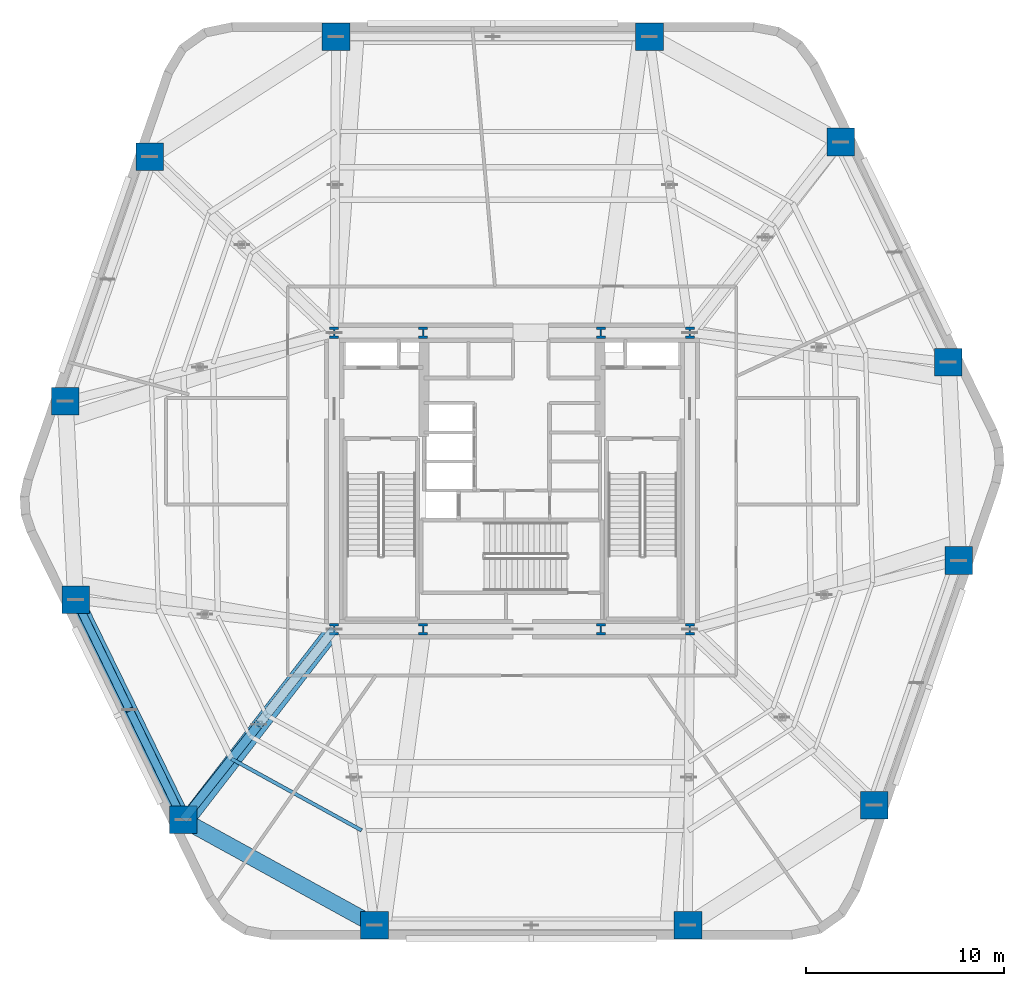
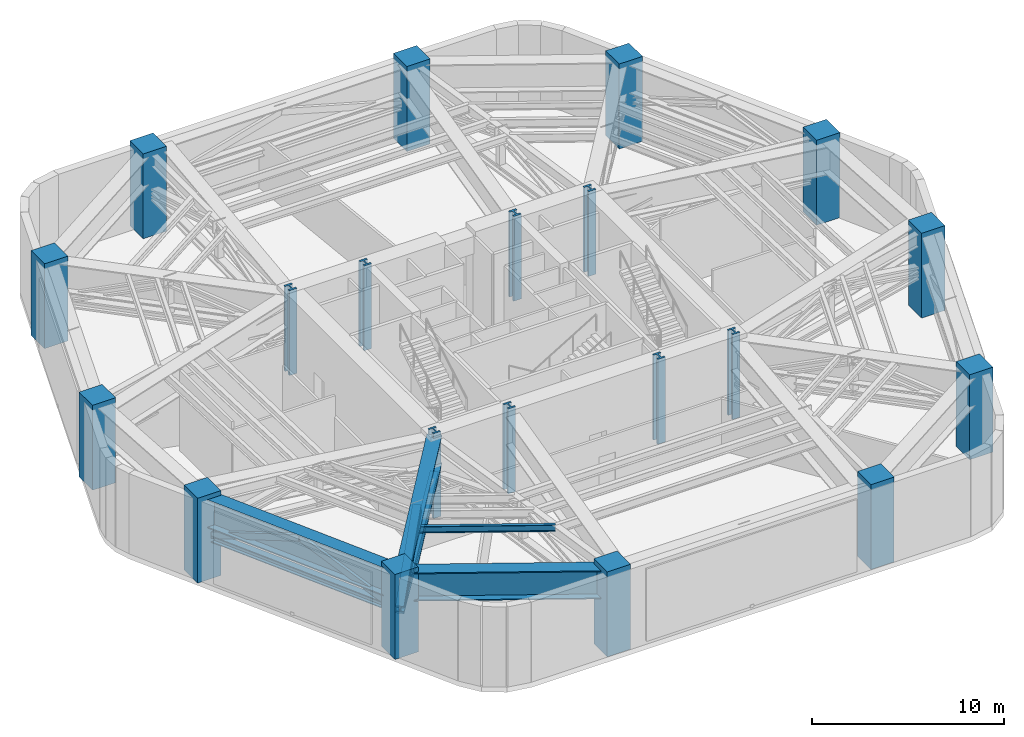
# One storey, part 1 of 11: 20 columns, 5 members, 4 beams.
"""IFC4 building model written with IfcOpenShell, lengths in metres."""

from ifc_helpers import new_model, si_unit, direction, frame, origin, origin_2d, place, context, subcontext, project, spatial, rectangle, hollow_rectangle, i_section, extrude, material, material_profile, profile_set, type_object, element, save


model = new_model("IFC4")

# Units and contexts
model_context = context("Model", 3, precision=1e-05, world=origin(), true_north=direction((0.0, 1.0)))
body_context = subcontext(model_context, "Body", "Model", "MODEL_VIEW")
ifc_project = project(units=[si_unit("LENGTHUNIT", "METRE"), si_unit("AREAUNIT", "SQUARE_METRE"), si_unit("VOLUMEUNIT", "CUBIC_METRE"), si_unit("PLANEANGLEUNIT", "RADIAN"), si_unit("MASSUNIT", "GRAM", prefix="KILO")], contexts=[model_context])

# Site, building, storey
site_placement = place(None, origin())
site = spatial("IfcSite", under=ifc_project, at=site_placement, CompositionType="ELEMENT")
building_placement = place(site_placement, origin())
building = spatial("IfcBuilding", under=site, at=building_placement, Name="Kilnhurst Terrace Hotel", CompositionType="ELEMENT")
storey_placement = place(building_placement, frame((0.0, 0.0, 86.0)))
storey = spatial("IfcBuildingStorey", under=building, at=storey_placement, Name="L20", CompositionType="ELEMENT", Elevation=86.0)

# Columns
ifc_material_1 = material(Name="Concrete C80/95", Category="concrete")
ifc_material_profile_1 = material_profile(ifc_material_1, rectangle(XDim=1.39990234375, YDim=1.39990234375, at=origin_2d()), Name="RC1400X1400")
ifc_profile_set_1 = profile_set([ifc_material_profile_1], Name="Concrete C80/95")
column_type_1 = type_object("IfcColumnType", Name="COL-RC-1400", PredefinedType="COLUMN", material=ifc_profile_set_1)
for number, where, z_axis, x_axis, name in (
    (1, (-6.955078125, -22.47998046875, 0.0), (0.0, 0.0, 1.0), (1.0, 0.0, 0.0), "L20 Structural Column PC-F11"),
    (2, (8.905029296875, -22.47998046875, 0.0), (0.0, 0.0, 1.0), (1.0, 0.0, 0.0), "L20 Structural Column PC-F12"),
    (3, (18.337890625, -16.410888671875, 0.0), (0.0, 0.0, 1.0), (1.0, 0.0, 0.0), "L20 Structural Column PC-F21"),
    (4, (22.60888671875, -4.029052734375, 0.0), (0.0, 0.0, 1.0), (1.0, 0.0, 0.0), "L20 Structural Column PC-F22"),
    (5, (22.083984375, 6.013916015625, 0.0), (0.0, 0.0, 1.0), (1.0, 0.0, 0.0), "L20 Structural Column PC-F31"),
    (6, (16.64306640625, 17.152099609375, 0.0), (0.0, 0.0, 1.0), (1.0, 0.0, 0.0), "L20 Structural Column PC-F32"),
    (7, (6.955078125, 22.47998046875, 0.0), (0.0, 0.0, 1.0), (1.0, 0.0, 0.0), "L20 Structural Column PC-F41"),
    (8, (-8.905029296875, 22.47998046875, 0.0), (0.0, 0.0, 1.0), (1.0, 0.0, 0.0), "L20 Structural Column PC-F42"),
    (9, (-18.337890625, 16.410888671875, 0.0), (0.0, 0.0, 1.0), (1.0, 0.0, 0.0), "L20 Structural Column PC-F51"),
    (10, (-22.60888671875, 4.029052734375, 0.0), (0.0, 0.0, 1.0), (1.0, 0.0, 0.0), "L20 Structural Column PC-F52"),
    (11, (-22.083984375, -6.013916015625, 0.0), (0.0, 0.0, 1.0), (1.0, 0.0, 0.0), "L20 Structural Column PC-F61"),
    (12, (-16.64306640625, -17.152099609375, 0.0), (0.0, 0.0, 1.0), (1.0, 0.0, 0.0), "L20 Structural Column PC-F62"),
):
    element("IfcColumn", number, at=place(storey_placement, frame(where, z_axis=z_axis, x_axis=x_axis)), inside=storey, type_object=column_type_1, Name=name, PredefinedType="COLUMN", context=body_context, shape_type="SweptSolid", body=[
        extrude(rectangle(XDim=1.39990234375, YDim=1.39990234375, at=origin_2d()), origin(), (0.0, 0.0, 1.0), 5.39990234375),
    ])
ifc_material_2 = material(Name="Steel ASTM A992 Grade 50", Category="steel")
ifc_material_profile_2 = material_profile(ifc_material_2, i_section(OverallWidth=0.454345703125, OverallDepth=0.569091796875, WebThickness=0.077880859375, FlangeThickness=0.124755859375, at=origin_2d()), Name="W14X730")
ifc_profile_set_2 = profile_set([ifc_material_profile_2], Name="Steel ASTM A992 Grade 50")
column_type_2 = type_object("IfcColumnType", Name="COL-STL-W14X730", PredefinedType="COLUMN", material=ifc_profile_set_2)
for number, where, z_axis, x_axis, name in (
    (13, (-9.0, -7.5, 0.0), (0.0, 0.0, 1.0), (1.0, 0.0, 0.0), "L20 Structural Column CC-SW"),
    (14, (-4.5, -7.5, 0.0), (0.0, 0.0, 1.0), (1.0, 0.0, 0.0), "L20 Structural Column CC-SC1"),
    (15, (4.5, -7.5, 0.0), (0.0, 0.0, 1.0), (1.0, 0.0, 0.0), "L20 Structural Column CC-SC2"),
    (16, (9.0, -7.5, 0.0), (0.0, 0.0, 1.0), (1.0, 0.0, 0.0), "L20 Structural Column CC-SE"),
    (17, (9.0, 7.5, 0.0), (0.0, 0.0, 1.0), (1.0, 0.0, 0.0), "L20 Structural Column CC-NE"),
    (18, (4.5, 7.5, 0.0), (0.0, 0.0, 1.0), (1.0, 0.0, 0.0), "L20 Structural Column CC-NC2"),
    (19, (-4.5, 7.5, 0.0), (0.0, 0.0, 1.0), (1.0, 0.0, 0.0), "L20 Structural Column CC-NC1"),
    (20, (-9.0, 7.5, 0.0), (0.0, 0.0, 1.0), (1.0, 0.0, 0.0), "L20 Structural Column CC-NW"),
):
    element("IfcColumn", number, at=place(storey_placement, frame(where, z_axis=z_axis, x_axis=x_axis)), inside=storey, type_object=column_type_2, Name=name, PredefinedType="COLUMN", context=body_context, shape_type="SweptSolid", body=[
        extrude(i_section(OverallWidth=0.454345703125, OverallDepth=0.569091796875, WebThickness=0.077880859375, FlangeThickness=0.124755859375, at=origin_2d()), origin(), (0.0, 0.0, 1.0), 5.39990234375),
    ])

# Beam
ifc_material_profile_3 = material_profile(ifc_material_2, i_section(OverallWidth=0.180908203125, OverallDepth=0.417236328125, WebThickness=0.010986328125, FlangeThickness=0.018310546875, at=origin_2d()), Name="W16X57")
ifc_profile_set_3 = profile_set([ifc_material_profile_3], Name="Steel ASTM A992 Grade 50")
beam_type_1 = type_object("IfcBeamType", Name="JST-STL-W16X57", PredefinedType="JOIST", material=ifc_profile_set_3)
beam_1_placement = place(storey_placement, frame((-14.197265625, -14.0634765625, 4.89111328125), z_axis=(0.876246073632, -0.481863900334, 0.0), x_axis=(0.481863900334, 0.876246073632, 0.0)))
element("IfcBeam", 21, at=beam_1_placement, inside=storey, type_object=beam_type_1, Name="L20 Secondary Floor Steel Joist OUT.12", PredefinedType="JOIST", context=body_context, shape_type="SweptSolid", body=[
    extrude(i_section(OverallWidth=0.180908203125, OverallDepth=0.417236328125, WebThickness=0.010986328125, FlangeThickness=0.018310546875, at=origin_2d()), origin(), (0.0, 0.0, 1.0), 7.518310546875),
])

# Members
ifc_material_3 = material(Name="Steel ASTM A500 Grade C", Category="steel")
ifc_material_profile_4 = material_profile(ifc_material_3, hollow_rectangle(XDim=0.39990234375, YDim=0.39990234375, WallThickness=0.01611328125, at=origin_2d()), Name="HSS400X400X16")
ifc_profile_set_4 = profile_set([ifc_material_profile_4], Name="Steel ASTM A500 Grade C")
member_type_1 = type_object("IfcMemberType", Name="MEM-BLT-HSS-400", PredefinedType="BRACE", material=ifc_profile_set_4)
member_1_placement = place(storey_placement, frame((-22.083984375, -6.013916015625, 2.52001953125), z_axis=(0.412943121474, -0.845493720846, 0.338553314024), x_axis=(0.898555956293, 0.438858967562, 0.0)))
element("IfcMember", 22, at=member_1_placement, inside=storey, type_object=member_type_1, Name="L20 Belt Truss Left Diagonal 6", PredefinedType="BRACE", context=body_context, shape_type="SweptSolid", body=[
    extrude(hollow_rectangle(XDim=0.39990234375, YDim=0.39990234375, WallThickness=0.01611328125, at=origin_2d()), origin(), (0.0, 0.0, 1.0), 6.5869140625),
])
member_2_placement = place(storey_placement, frame((-16.64306640625, -17.152099609375, 2.52001953125), z_axis=(-0.413066089168, 0.845441952446, 0.338532584878), x_axis=(-0.898493817359, -0.438986173095, 0.0)))
element("IfcMember", 23, at=member_2_placement, inside=storey, type_object=member_type_1, Name="L20 Belt Truss Right Diagonal 6", PredefinedType="BRACE", context=body_context, shape_type="SweptSolid", body=[
    extrude(hollow_rectangle(XDim=0.39990234375, YDim=0.39990234375, WallThickness=0.01611328125, at=origin_2d()), origin(), (0.0, 0.0, 1.0), 6.587158203125),
])
ifc_material_profile_5 = material_profile(ifc_material_2, i_section(OverallWidth=0.40625, OverallDepth=0.416015625, WebThickness=0.02978515625, FlangeThickness=0.048095703125, at=origin_2d()), Name="W14X257")
ifc_profile_set_5 = profile_set([ifc_material_profile_5], Name="Steel ASTM A992 Grade 50")
member_type_2 = type_object("IfcMemberType", Name="MEM-CHD-W14X257", PredefinedType="CHORD", material=ifc_profile_set_5)
member_3_placement = place(storey_placement, frame((-22.083984375, -6.013916015625, 2.52001953125), z_axis=(0.438922573627, -0.898524888003, 0.0), x_axis=(0.898524888003, 0.438922573627, 0.0)))
element("IfcMember", 24, at=member_3_placement, inside=storey, type_object=member_type_2, Name="L20 Belt Truss Bottom Chord 6", PredefinedType="CHORD", context=body_context, shape_type="SweptSolid", body=[
    extrude(i_section(OverallWidth=0.40625, OverallDepth=0.416015625, WebThickness=0.02978515625, FlangeThickness=0.048095703125, at=origin_2d()), origin(), (0.0, 0.0, 1.0), 12.39599609375),
])
ifc_material_profile_6 = material_profile(ifc_material_2, i_section(OverallWidth=0.44189453125, OverallDepth=0.531494140625, WebThickness=0.06591796875, FlangeThickness=0.105712890625, at=origin_2d()), Name="W14X605")
ifc_profile_set_6 = profile_set([ifc_material_profile_6], Name="Steel ASTM A992 Grade 50")
member_type_3 = type_object("IfcMemberType", Name="MEM-CHD-W14X605", PredefinedType="CHORD", material=ifc_profile_set_6)
member_4_placement = place(storey_placement, frame((-9.0, -7.5, 2.52001953125), z_axis=(-0.62079385707, -0.783973843329, 0.0), x_axis=(0.783973843329, -0.62079385707, 0.0)))
element("IfcMember", 25, at=member_4_placement, inside=storey, type_object=member_type_3, Name="L20 Outrigger Bottom Chord 12", PredefinedType="CHORD", context=body_context, shape_type="SweptSolid", body=[
    extrude(i_section(OverallWidth=0.44189453125, OverallDepth=0.531494140625, WebThickness=0.06591796875, FlangeThickness=0.105712890625, at=origin_2d()), origin(), (0.0, 0.0, 1.0), 12.311767578125),
])
ifc_material_profile_7 = material_profile(ifc_material_2, i_section(OverallWidth=0.454345703125, OverallDepth=0.569091796875, WebThickness=0.077880859375, FlangeThickness=0.124755859375, at=origin_2d()), Name="W14X730")
ifc_profile_set_7 = profile_set([ifc_material_profile_7], Name="Steel ASTM A992 Grade 50")
member_type_4 = type_object("IfcMemberType", Name="MEM-OTR-DIAG-730", PredefinedType="BRACE", material=ifc_profile_set_7)
member_5_placement = place(storey_placement, frame((-12.822021484375, -12.325927734375, 4.75), z_axis=(-0.583619857175, -0.737141226544, -0.340603397575), x_axis=(0.784020088535, -0.62073545152, 0.0)))
element("IfcMember", 26, at=member_5_placement, inside=storey, type_object=member_type_4, Name="L20 Outrigger Outer Diagonal 12", PredefinedType="BRACE", context=body_context, shape_type="SweptSolid", body=[
    extrude(i_section(OverallWidth=0.454345703125, OverallDepth=0.569091796875, WebThickness=0.077880859375, FlangeThickness=0.124755859375, at=origin_2d()), origin(), (0.0, 0.0, 1.0), 6.547119140625),
])

# Beams
ifc_material_4 = material(Name="Steel ASTM A572 Grade 50", Category="steel")
ifc_material_profile_8 = material_profile(ifc_material_4, i_section(OverallWidth=0.800048828125, OverallDepth=1.800048828125, WebThickness=0.0400390625, FlangeThickness=0.06494140625, at=origin_2d()), Name="PG1800X800")
ifc_profile_set_8 = profile_set([ifc_material_profile_8], Name="Steel ASTM A572 Grade 50")
beam_type_2 = type_object("IfcBeamType", Name="TG-STEP-1800", PredefinedType="USERDEFINED", material=ifc_profile_set_8)
beam_2_placement = place(storey_placement, frame((-22.083984375, -6.013916015625, 4.199951171875), z_axis=(0.438922573627, -0.898524888003, 0.0), x_axis=(0.898524888003, 0.438922573627, 0.0)))
element("IfcBeam", 27, at=beam_2_placement, inside=storey, type_object=beam_type_2, Name="L20 Zone Step Perimeter Transfer Girder 11", ObjectType="GIRDER", PredefinedType="USERDEFINED", context=body_context, shape_type="SweptSolid", body=[
    extrude(i_section(OverallWidth=0.800048828125, OverallDepth=1.800048828125, WebThickness=0.0400390625, FlangeThickness=0.06494140625, at=origin_2d()), origin(), (0.0, 0.0, 1.0), 12.39599609375),
])
beam_3_placement = place(storey_placement, frame((-16.64306640625, -17.152099609375, 4.199951171875), z_axis=(0.876235488803, -0.481883147829, 0.0), x_axis=(0.481883147829, 0.876235488803, 0.0)))
element("IfcBeam", 28, at=beam_3_placement, inside=storey, type_object=beam_type_2, Name="L20 Zone Step Perimeter Transfer Girder 12", ObjectType="GIRDER", PredefinedType="USERDEFINED", context=body_context, shape_type="SweptSolid", body=[
    extrude(i_section(OverallWidth=0.800048828125, OverallDepth=1.800048828125, WebThickness=0.0400390625, FlangeThickness=0.06494140625, at=origin_2d()), origin(), (0.0, 0.0, 1.0), 11.056396484375),
])
beam_4_placement = place(storey_placement, frame((-9.0, -7.5, 4.199951171875), z_axis=(-0.610902751809, -0.791705644689, 0.0), x_axis=(0.791705644689, -0.610902751809, 0.0)))
element("IfcBeam", 29, at=beam_4_placement, inside=storey, type_object=beam_type_2, Name="L20 Zone Step Radial Transfer Girder 12", ObjectType="GIRDER", PredefinedType="USERDEFINED", context=body_context, shape_type="SweptSolid", body=[
    extrude(i_section(OverallWidth=0.800048828125, OverallDepth=1.800048828125, WebThickness=0.0400390625, FlangeThickness=0.06494140625, at=origin_2d()), origin(), (0.0, 0.0, 1.0), 12.28662109375),
])

save(model, "model.ifc")
